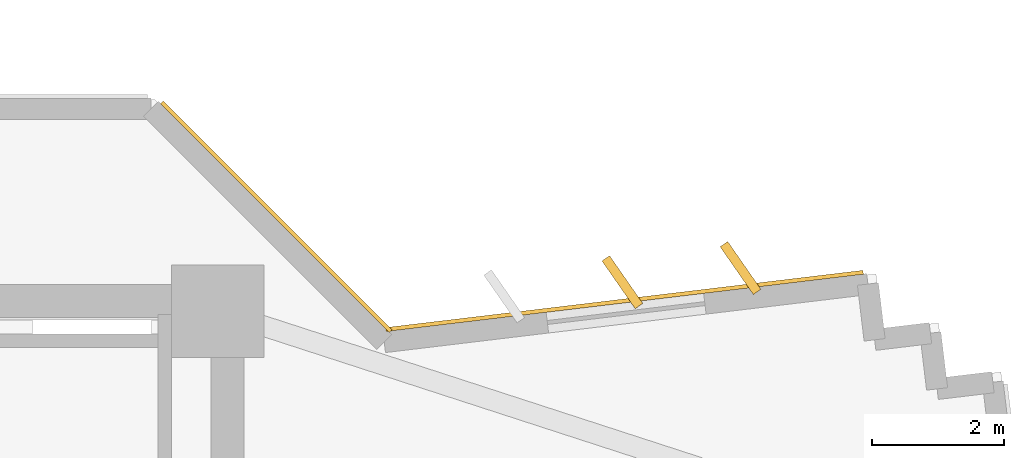
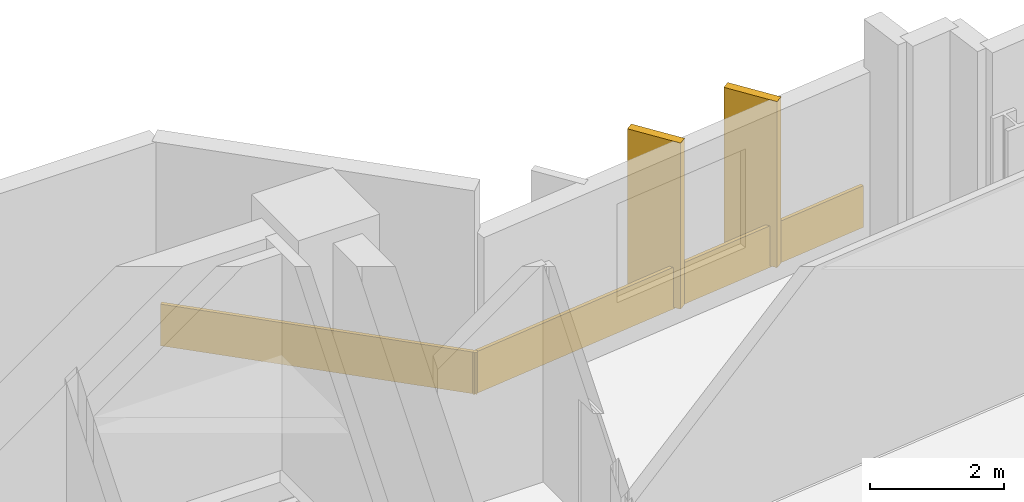
# One storey, part 15 of 15: 4 coverings.
"""IFC4 building model written with IfcOpenShell, lengths in metres."""

from ifc_helpers import new_model, si_unit, direction, frame, origin, origin_2d, place, context, subcontext, project, spatial, rectangle, extrude, source, transform, mapped, material, layer, layer_set, type_object, element, save


model = new_model("IFC4")

# Units and contexts
model_context = context("Model", 3, precision=1e-05, world=origin(), true_north=direction((0.0, 1.0)))
body_context = subcontext(model_context, "Body", "Model", "MODEL_VIEW")
ifc_project = project(units=[si_unit("LENGTHUNIT", "METRE"), si_unit("AREAUNIT", "SQUARE_METRE"), si_unit("VOLUMEUNIT", "CUBIC_METRE"), si_unit("PLANEANGLEUNIT", "RADIAN"), si_unit("MASSUNIT", "GRAM", prefix="KILO")], contexts=[model_context])

# Site, building, storey
site_placement = place(None, origin())
site = spatial("IfcSite", under=ifc_project, at=site_placement, CompositionType="ELEMENT")
building_placement = place(site_placement, origin())
building = spatial("IfcBuilding", under=site, at=building_placement, Name="Zahravan Cultural Tower", CompositionType="ELEMENT")
storey_placement = place(building_placement, frame((0.0, 0.0, 113.10009765625)))
storey = spatial("IfcBuildingStorey", under=building, at=storey_placement, Name="L25", CompositionType="ELEMENT", Elevation=113.10009765625)

# Coverings
ifc_material = material(Name="Terracotta ceramic cladding", Category="masonry")
ifc_layer = layer(ifc_material, 0.06005859375)
ifc_layer_set = layer_set([ifc_layer], Name="Terracotta ceramic cladding")
covering_type = type_object("IfcCoveringType", Name="COV-CLAD-TC60", PredefinedType="CLADDING", material=ifc_layer_set)
shared_shape_1 = source(origin(), body_context, "Body", "SweptSolid", [
    extrude(rectangle(XDim=0.8798828125, YDim=0.139892578125, at=origin_2d()), origin(), (0.0, 0.0, 1.0), 3.030029296875),
])
for number, where, z_axis, x_axis, name in (
    (1, (56.47314453125, 36.636962890625, 0.0498046875), (0.0, 0.0, 1.0), (-0.571286698852, 0.820750575823, 0.0), "L25 Herringbone Terracotta Fin 02"),
    (2, (58.260498046875, 36.851318359375, 0.0498046875), (0.0, 0.0, 1.0), (-0.571286698852, 0.820750575823, 0.0), "L25 Herringbone Terracotta Fin 03"),
):
    element("IfcCovering", number, at=place(storey_placement, frame(where, z_axis=z_axis, x_axis=x_axis)), inside=storey, type_object=covering_type, Name=name, PredefinedType="CLADDING", context=body_context, shape_type="MappedRepresentation", body=[
        mapped(shared_shape_1, transform((0.0, 0.0, 0.0), x_axis=(1.0, 0.0, 0.0), y_axis=(0.0, 1.0, 0.0), z_axis=(0.0, 0.0, 1.0), scale=1.0)),
    ])
shared_shape_2 = source(origin(), body_context, "Body", "SweptSolid", [
    extrude(rectangle(XDim=7.269775390625, YDim=0.06005859375, at=origin_2d()), origin(), (0.0, 0.0, 1.0), 0.760009765625),
])
covering_1_placement = place(storey_placement, frame((56.507080078125, 36.35400390625, 0.02001953125), z_axis=(0.0, 0.0, 1.0), x_axis=(0.99288260457, 0.119097160095, 0.0)))
element("IfcCovering", 3, at=covering_1_placement, inside=storey, type_object=covering_type, Name="L25 Terracotta Spandrel Cladding 01", PredefinedType="CLADDING", context=body_context, shape_type="MappedRepresentation", body=[
    mapped(shared_shape_2, transform((0.0, 0.0, 0.0), x_axis=(1.0, 0.0, 0.0), y_axis=(0.0, 1.0, 0.0), z_axis=(0.0, 0.0, 1.0), scale=1.0)),
])
shared_shape_3 = source(origin(), body_context, "Body", "SweptSolid", [
    extrude(rectangle(XDim=4.89013671875, YDim=0.06005859375, at=origin_2d()), origin(), (0.0, 0.0, 1.0), 0.760009765625),
])
covering_2_placement = place(storey_placement, frame((51.237060546875, 37.62646484375, 0.02001953125), z_axis=(0.0, 0.0, 1.0), x_axis=(0.707106781187, -0.707106781187, 0.0)))
element("IfcCovering", 4, at=covering_2_placement, inside=storey, type_object=covering_type, Name="L25 Terracotta Spandrel Cladding 52", PredefinedType="CLADDING", context=body_context, shape_type="MappedRepresentation", body=[
    mapped(shared_shape_3, transform((0.0, 0.0, 0.0), x_axis=(1.0, 0.0, 0.0), y_axis=(0.0, 1.0, 0.0), z_axis=(0.0, 0.0, 1.0), scale=1.0)),
])

save(model, "model.ifc")
